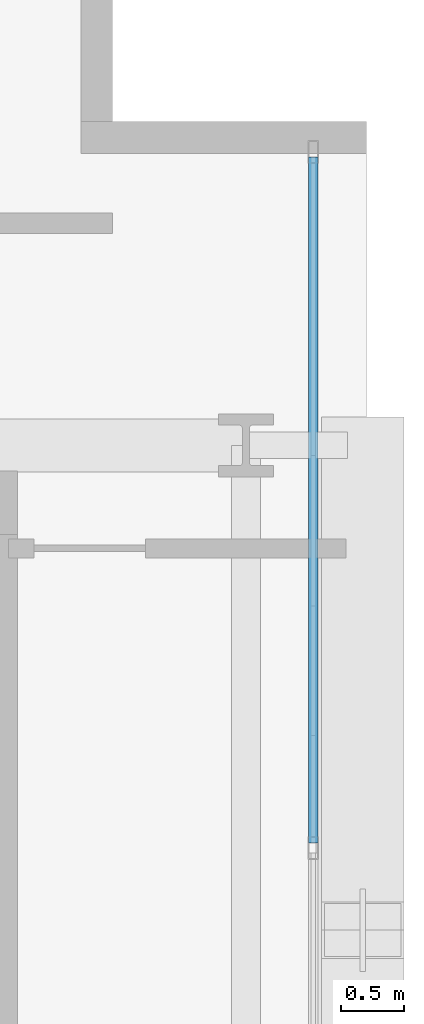
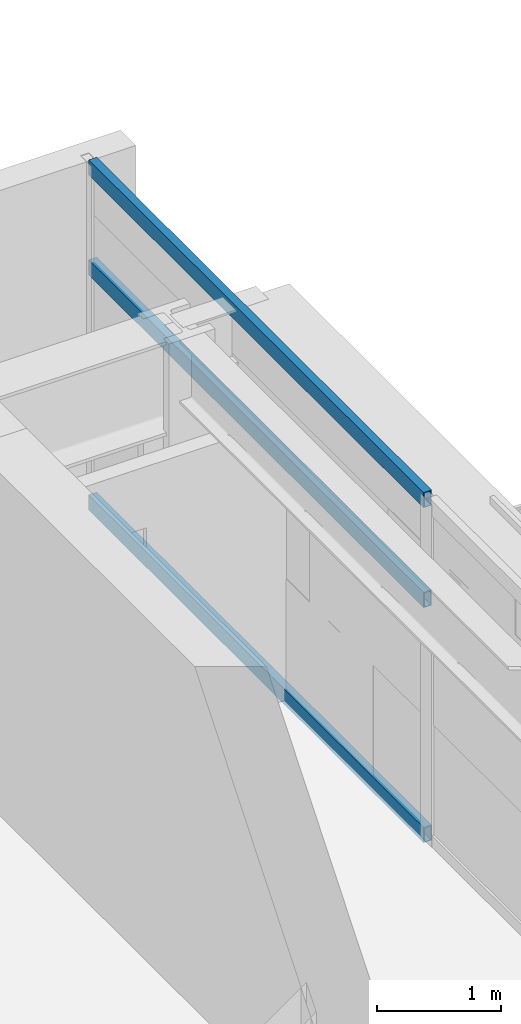
# One storey, part 15 of 32: 3 members, 1 element without a shape of its own.
"""IFC4 building model written with IfcOpenShell, lengths in metres."""

import ifcopenshell
import ifcopenshell.guid

model = None  # the IFC model being written
_history = None  # IfcOwnerHistory: only IFC2X3 demands one
_inside = {}  # id of a spatial element -> (the spatial element, [elements in it])
_under = {}  # id of a project, library or spatial element -> (it, [spatial elements below it])
_declared = {}  # id of a project -> (the project, [libraries it declares])
_typed = {}  # id of a type object -> (the type object, [elements of that type])
_made_of = {}  # id of a material, layer set ... -> (it, [elements and type objects made of it])


def new_model(schema):
    """Start an empty IFC model of exactly this schema.

    Asked for "IFC4X3", IfcOpenShell would pick the latest addendum, in which some entities
    have other attributes; the version numbers below select the first issue.
    IFC2X3 requires an IfcOwnerHistory on every rooted entity: one is made here for all.
    """
    global model, _history
    if schema == "IFC4X3":
        model = ifcopenshell.file(schema_version=(4, 3, 0, 0))
    else:
        model = ifcopenshell.file(schema=schema)
    _inside.clear()
    _under.clear()
    _declared.clear()
    _typed.clear()
    _made_of.clear()
    _history = None
    if model.schema == "IFC2X3":
        org = make("IfcOrganization", Name="unknown")
        user = make(
            "IfcPersonAndOrganization",
            ThePerson=make("IfcPerson", FamilyName="unknown"),
            TheOrganization=org,
        )
        app = make(
            "IfcApplication",
            ApplicationDeveloper=org,
            Version="unknown",
            ApplicationFullName="unknown",
            ApplicationIdentifier="unknown",
        )
        _history = make(
            "IfcOwnerHistory",
            OwningUser=user,
            OwningApplication=app,
            ChangeAction="ADDED",
            CreationDate=0,
        )
    return model


def make(cls, **values):
    """One entity of the class cls with the attributes given. An attribute that is None is left unset."""
    return model.create_entity(
        cls, **{name: value for name, value in values.items() if value is not None}
    )


def rooted(cls, **values):
    """An entity with a GlobalId (a new one), such as an element, a storey or a relation."""
    return make(cls, GlobalId=ifcopenshell.guid.new(), OwnerHistory=_history, **values)


def si_unit(unit_type, name, prefix=None):
    """IfcSIUnit, for example si_unit("LENGTHUNIT", "METRE", prefix="MILLI")."""
    return make("IfcSIUnit", UnitType=unit_type, Prefix=prefix, Name=name)


def assignment(units):
    """IfcUnitAssignment: the units of a project."""
    return None if units is None else make("IfcUnitAssignment", Units=units)


def point(xyz):
    """IfcCartesianPoint."""
    return None if xyz is None else make("IfcCartesianPoint", Coordinates=xyz)


def direction(xyz):
    """IfcDirection."""
    return None if xyz is None else make("IfcDirection", DirectionRatios=xyz)


def frame(location, z_axis=None, x_axis=None):
    """IfcAxis2Placement3D, a coordinate frame: its origin and axes. An axis left out is left unset."""
    return make(
        "IfcAxis2Placement3D",
        Location=point(location),
        Axis=direction(z_axis),
        RefDirection=direction(x_axis),
    )


def frame_2d(location, x_axis=None):
    """IfcAxis2Placement2D, a coordinate frame in the plane: its origin and x axis."""
    return make(
        "IfcAxis2Placement2D", Location=point(location), RefDirection=direction(x_axis)
    )


def origin():
    """The frame at (0, 0, 0) with its axes left unset."""
    return frame((0.0, 0.0, 0.0))


def origin_2d():
    """The frame at (0, 0) in the plane with its x axis left unset."""
    return frame_2d((0.0, 0.0))


def place(relative_to, where):
    """IfcLocalPlacement: puts the frame where relative to a parent placement (None: the world)."""
    return make(
        "IfcLocalPlacement", PlacementRelTo=relative_to, RelativePlacement=where
    )


def context(
    kind, dimensions, precision=None, world=None, true_north=None, identifier=None
):
    """IfcGeometricRepresentationContext, for example the 3D "Model" context."""
    return make(
        "IfcGeometricRepresentationContext",
        ContextIdentifier=identifier,
        ContextType=kind,
        CoordinateSpaceDimension=dimensions,
        Precision=precision,
        WorldCoordinateSystem=world,
        TrueNorth=true_north,
    )


def subcontext(parent, identifier, kind, view, scale=None):
    """IfcGeometricRepresentationSubContext, for example "Body" below "Model"."""
    return make(
        "IfcGeometricRepresentationSubContext",
        ContextIdentifier=identifier,
        ContextType=kind,
        ParentContext=parent,
        TargetScale=scale,
        TargetView=view,
    )


def project(units=None, contexts=None):
    """IfcProject with its units and contexts."""
    return rooted(
        "IfcProject",
        Name="project",
        RepresentationContexts=contexts,
        UnitsInContext=assignment(units),
    )


def spatial(cls, under=None, at=None, **own):
    """A site, building, storey or space (cls), placed at a placement, below another one or the project."""
    s = rooted(cls, ObjectPlacement=at, **own)
    if under is not None:
        _under.setdefault(under.id(), (under, []))[1].append(s)
    return s


def profile(cls, at=None, kind="AREA", **sizes):
    """A parametric profile (cls). Its sizes go by their IFC names, for example OverallWidth=200.0."""
    return make(cls, ProfileType=kind, Position=at, **sizes)


def hollow_rectangle(**sizes):
    """IfcRectangleHollowProfileDef."""
    return profile("IfcRectangleHollowProfileDef", **sizes)


def extrude(swept, where, along, depth):
    """IfcExtrudedAreaSolid: the profile swept, set in the frame where, extruded along a direction by depth."""
    return make(
        "IfcExtrudedAreaSolid",
        SweptArea=swept,
        Position=where,
        ExtrudedDirection=direction(along),
        Depth=depth,
    )


def shape(context_of_items, identifier, shape_type, items):
    """IfcShapeRepresentation: the items that make up one representation, for example the "Body"."""
    return make(
        "IfcShapeRepresentation",
        ContextOfItems=context_of_items,
        RepresentationIdentifier=identifier,
        RepresentationType=shape_type,
        Items=items,
    )


def source(mapping_origin, context_of_items, identifier, shape_type, items):
    """IfcRepresentationMap: a shape defined once, which mapped items show again and again."""
    return make(
        "IfcRepresentationMap",
        MappingOrigin=mapping_origin,
        MappedRepresentation=shape(context_of_items, identifier, shape_type, items),
    )


def transform(
    local_origin,
    x_axis=None,
    y_axis=None,
    z_axis=None,
    scale=None,
    scale2=None,
    scale3=None,
    uniform=True,
):
    """IfcCartesianTransformationOperator3D, or its non-uniform kind. x_axis, y_axis, z_axis: its Axis1, 2, 3."""
    if uniform:
        return make(
            "IfcCartesianTransformationOperator3D",
            Axis1=direction(x_axis),
            Axis2=direction(y_axis),
            LocalOrigin=point(local_origin),
            Scale=scale,
            Axis3=direction(z_axis),
        )
    return make(
        "IfcCartesianTransformationOperator3DnonUniform",
        Axis1=direction(x_axis),
        Axis2=direction(y_axis),
        LocalOrigin=point(local_origin),
        Scale=scale,
        Axis3=direction(z_axis),
        Scale2=scale2,
        Scale3=scale3,
    )


def mapped(mapping_source, mapping_target):
    """IfcMappedItem: shows the shape of a source again, moved by a transform."""
    return make(
        "IfcMappedItem", MappingSource=mapping_source, MappingTarget=mapping_target
    )


def material(Name=None, Category=None):
    """IfcMaterial."""
    return make("IfcMaterial", Name=Name, Category=Category)


def layer(
    of_material, thickness, ventilated=None, Name=None, Category=None, Priority=None
):
    """IfcMaterialLayer: one layer of a wall or slab, of a material (None: an air gap)."""
    return make(
        "IfcMaterialLayer",
        Material=of_material,
        LayerThickness=thickness,
        IsVentilated=ventilated,
        Name=Name,
        Category=Category,
        Priority=Priority,
    )


def layer_set(layers, Name=None):
    """IfcMaterialLayerSet."""
    return make("IfcMaterialLayerSet", MaterialLayers=layers, LayerSetName=Name)


def material_profile(
    of_material, cross_section, Name=None, Category=None, Priority=None
):
    """IfcMaterialProfile: a cross section and its material."""
    return make(
        "IfcMaterialProfile",
        Name=Name,
        Material=of_material,
        Profile=cross_section,
        Priority=Priority,
        Category=Category,
    )


def profile_set(profiles, Name=None, composite=None):
    """IfcMaterialProfileSet."""
    return make(
        "IfcMaterialProfileSet",
        Name=Name,
        MaterialProfiles=profiles,
        CompositeProfile=composite,
    )


def made_of(thing, what):
    """Note that an element or type object is made of a material, layer set ...; save() writes the relation."""
    if what is not None:
        _made_of.setdefault(what.id(), (what, []))[1].append(thing)
    return thing


def type_object(cls, material=None, **own):
    """A type object (cls), such as IfcWallType, which elements share."""
    return made_of(rooted(cls, **own), material)


def element(
    cls,
    number,
    at=None,
    inside=None,
    cuts=None,
    type_object=None,
    material=None,
    context=None,
    identifier="Body",
    shape_type=None,
    held_by="IfcProductDefinitionShape",
    body=None,
    shapes=None,
    **own,
):
    """One element of the class cls, such as IfcWall. Its Tag is "e" and its number.

    at: its placement. inside: the storey or other place that contains it. cuts: it is an
    opening in that element (IfcRelVoidsElement). A single representation is given by context,
    identifier, shape_type and body (its items); several are given by shapes. held_by: the class
    of the entity that holds the representations. save() writes the other relations.
    """
    e = rooted(cls, Tag="e%d" % number, ObjectPlacement=at, **own)
    if body is not None:
        shapes = [shape(context, identifier, shape_type, body)]
    if shapes is not None:
        e.Representation = make(held_by, Representations=shapes)
    if inside is not None:
        _inside.setdefault(inside.id(), (inside, []))[1].append(e)
    if cuts is not None:
        rooted(
            "IfcRelVoidsElement", RelatingBuildingElement=cuts, RelatedOpeningElement=e
        )
    if type_object is not None:
        _typed.setdefault(type_object.id(), (type_object, []))[1].append(e)
    return made_of(e, material)


def aggregate(whole, parts):
    """IfcRelAggregates: a whole, such as a stair, and the parts it consists of."""
    return rooted("IfcRelAggregates", RelatingObject=whole, RelatedObjects=parts)


def save(model, path):
    """Write the relations noted so far, then the file.

    IfcRelAggregates (storeys below a building ...), IfcRelContainedInSpatialStructure (elements
    in a storey), IfcRelDefinesByType, IfcRelAssociatesMaterial and IfcRelDeclares: one each for
    every whole, place, type object, material and project.
    """
    for whole, parts in _under.values():
        aggregate(whole, parts)
    for where, things in _inside.values():
        rooted(
            "IfcRelContainedInSpatialStructure",
            RelatedElements=things,
            RelatingStructure=where,
        )
    for kind, things in _typed.values():
        rooted("IfcRelDefinesByType", RelatedObjects=things, RelatingType=kind)
    for what, things in _made_of.values():
        rooted("IfcRelAssociatesMaterial", RelatedObjects=things, RelatingMaterial=what)
    for by, libraries in _declared.values():
        rooted("IfcRelDeclares", RelatingContext=by, RelatedDefinitions=libraries)
    model.write(path)


model = new_model("IFC4")

# Units and contexts
model_context = context("Model", 3, precision=1e-05, world=origin(), true_north=direction((0.0, 1.0)))
body_context = subcontext(model_context, "Body", "Model", "MODEL_VIEW")
ifc_project = project(units=[si_unit("LENGTHUNIT", "METRE"), si_unit("AREAUNIT", "SQUARE_METRE"), si_unit("VOLUMEUNIT", "CUBIC_METRE"), si_unit("PLANEANGLEUNIT", "RADIAN"), si_unit("MASSUNIT", "GRAM", prefix="KILO")], contexts=[model_context])

# Site, building, storey
site_placement = place(None, origin())
site = spatial("IfcSite", under=ifc_project, at=site_placement, CompositionType="ELEMENT")
building_placement = place(site_placement, origin())
building = spatial("IfcBuilding", under=site, at=building_placement, Name="Ocotamira Hotel", CompositionType="ELEMENT")
storey_placement = place(building_placement, frame((0.0, 0.0, 166.800048828125)))
storey = spatial("IfcBuildingStorey", under=building, at=storey_placement, Name="L41", CompositionType="ELEMENT", Elevation=166.800048828125)

# Curtain wall, members
ifc_material_1 = material(Name="Anodised pale-metal aluminium and solar glass", Category="aluminium")
ifc_layer = layer(ifc_material_1, 0.199951171875)
ifc_layer_set = layer_set([ifc_layer], Name="Anodised pale-metal aluminium and solar glass")
curtain_wall_type = type_object("IfcCurtainWallType", Name="CW-SYS4-Z3", PredefinedType="NOTDEFINED", material=ifc_layer_set)
curtain_wall_placement = place(storey_placement, origin())
curtain_wall = element("IfcCurtainWall", 1, at=curtain_wall_placement, inside=storey, type_object=curtain_wall_type, Name="L41 Curtain Wall CW-4 CW-L41-E", PredefinedType="NOTDEFINED")
ifc_material_2 = material(Name="Anodised pale-metal aluminium 6063-T6", Category="aluminium")
ifc_material_profile = material_profile(ifc_material_2, hollow_rectangle(XDim=0.074951171875, YDim=0.14990234375, WallThickness=0.006103515625, at=origin_2d()), Name="HSS150X75X6")
ifc_profile_set = profile_set([ifc_material_profile], Name="Anodised pale-metal aluminium 6063-T6")
member_type = type_object("IfcMemberType", Name="CWT-150X75", PredefinedType="USERDEFINED", material=ifc_profile_set)
shared_shape = source(origin(), body_context, "Body", "SweptSolid", [
    extrude(hollow_rectangle(XDim=0.074951171875, YDim=0.14990234375, WallThickness=0.006103515625, at=origin_2d()), origin(), (0.0, 0.0, 1.0), 5.39990234375),
])
member_1_placement = place(storey_placement, frame((55.580078125, 34.320068359375, 0.037353515625), z_axis=(0.0, 1.0, 0.0), x_axis=(-1.0, 0.0, 0.0)))
member_1 = element("IfcMember", 2, at=member_1_placement, type_object=member_type, Name="CW-4 transom 5.1", ObjectType="TRANSOM", PredefinedType="USERDEFINED", context=body_context, shape_type="MappedRepresentation", body=[
    mapped(shared_shape, transform((0.0, 0.0, 0.0), scale=1.0)),
])
member_2_placement = place(storey_placement, frame((55.580078125, 34.320068359375, 2.349853515625), z_axis=(0.0, 1.0, 0.0), x_axis=(-1.0, 0.0, 0.0)))
member_2 = element("IfcMember", 3, at=member_2_placement, type_object=member_type, Name="CW-4 transom 5.2", ObjectType="TRANSOM", PredefinedType="USERDEFINED", context=body_context, shape_type="MappedRepresentation", body=[
    mapped(shared_shape, transform((0.0, 0.0, 0.0), scale=1.0)),
])
member_3_placement = place(storey_placement, frame((55.580078125, 34.320068359375, 3.33251953125), z_axis=(0.0, 1.0, 0.0), x_axis=(-1.0, 0.0, 0.0)))
member_3 = element("IfcMember", 4, at=member_3_placement, type_object=member_type, Name="CW-4 transom 5.3", ObjectType="TRANSOM", PredefinedType="USERDEFINED", context=body_context, shape_type="MappedRepresentation", body=[
    mapped(shared_shape, transform((0.0, 0.0, 0.0), scale=1.0)),
])
aggregate(curtain_wall, [member_1, member_2, member_3])

save(model, "model.ifc")
